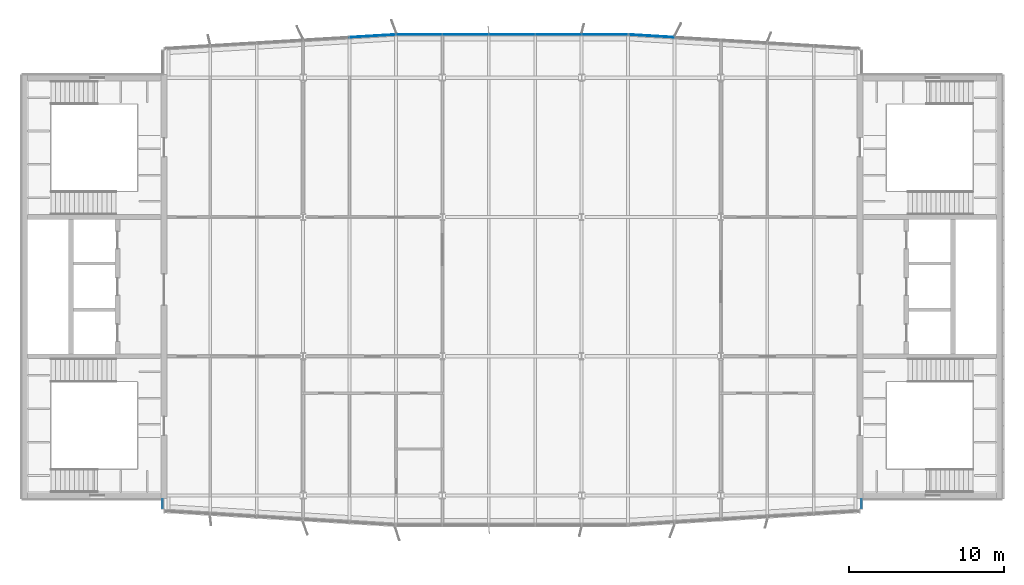
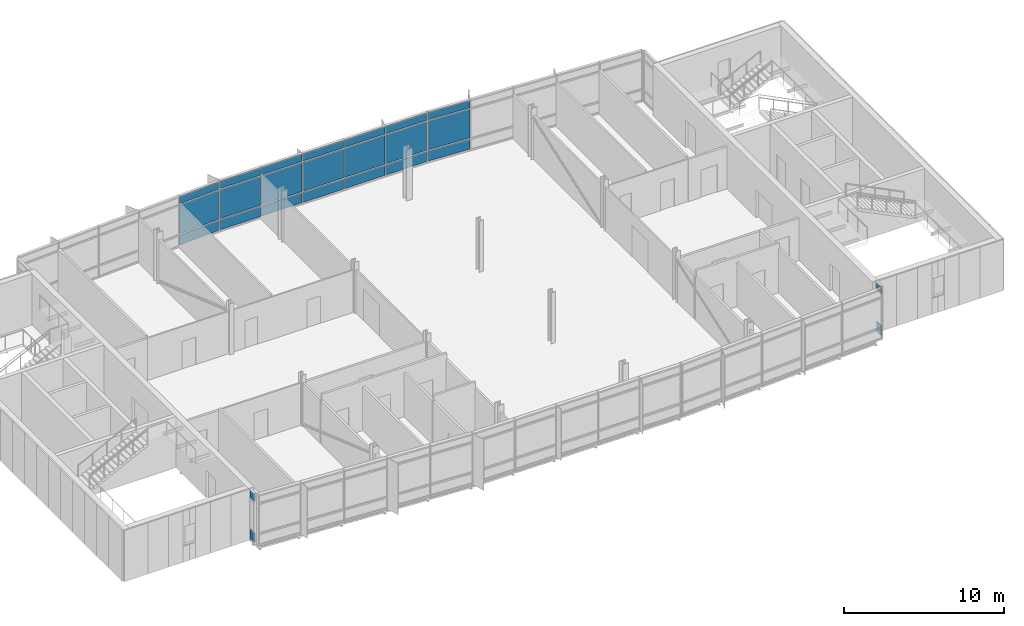
# One storey, part 13 of 20: 25 plates, 5 elements without a shape of their own.
"""IFC4 building model written with IfcOpenShell, lengths in metres."""

import ifcopenshell
import ifcopenshell.guid

model = None  # the IFC model being written
_history = None  # IfcOwnerHistory: only IFC2X3 demands one
_inside = {}  # id of a spatial element -> (the spatial element, [elements in it])
_under = {}  # id of a project, library or spatial element -> (it, [spatial elements below it])
_declared = {}  # id of a project -> (the project, [libraries it declares])
_typed = {}  # id of a type object -> (the type object, [elements of that type])
_made_of = {}  # id of a material, layer set ... -> (it, [elements and type objects made of it])


def new_model(schema):
    """Start an empty IFC model of exactly this schema.

    Asked for "IFC4X3", IfcOpenShell would pick the latest addendum, in which some entities
    have other attributes; the version numbers below select the first issue.
    IFC2X3 requires an IfcOwnerHistory on every rooted entity: one is made here for all.
    """
    global model, _history
    if schema == "IFC4X3":
        model = ifcopenshell.file(schema_version=(4, 3, 0, 0))
    else:
        model = ifcopenshell.file(schema=schema)
    _inside.clear()
    _under.clear()
    _declared.clear()
    _typed.clear()
    _made_of.clear()
    _history = None
    if model.schema == "IFC2X3":
        org = make("IfcOrganization", Name="unknown")
        user = make(
            "IfcPersonAndOrganization",
            ThePerson=make("IfcPerson", FamilyName="unknown"),
            TheOrganization=org,
        )
        app = make(
            "IfcApplication",
            ApplicationDeveloper=org,
            Version="unknown",
            ApplicationFullName="unknown",
            ApplicationIdentifier="unknown",
        )
        _history = make(
            "IfcOwnerHistory",
            OwningUser=user,
            OwningApplication=app,
            ChangeAction="ADDED",
            CreationDate=0,
        )
    return model


def make(cls, **values):
    """One entity of the class cls with the attributes given. An attribute that is None is left unset."""
    return model.create_entity(
        cls, **{name: value for name, value in values.items() if value is not None}
    )


def rooted(cls, **values):
    """An entity with a GlobalId (a new one), such as an element, a storey or a relation."""
    return make(cls, GlobalId=ifcopenshell.guid.new(), OwnerHistory=_history, **values)


def si_unit(unit_type, name, prefix=None):
    """IfcSIUnit, for example si_unit("LENGTHUNIT", "METRE", prefix="MILLI")."""
    return make("IfcSIUnit", UnitType=unit_type, Prefix=prefix, Name=name)


def assignment(units):
    """IfcUnitAssignment: the units of a project."""
    return None if units is None else make("IfcUnitAssignment", Units=units)


def point(xyz):
    """IfcCartesianPoint."""
    return None if xyz is None else make("IfcCartesianPoint", Coordinates=xyz)


def direction(xyz):
    """IfcDirection."""
    return None if xyz is None else make("IfcDirection", DirectionRatios=xyz)


def frame(location, z_axis=None, x_axis=None):
    """IfcAxis2Placement3D, a coordinate frame: its origin and axes. An axis left out is left unset."""
    return make(
        "IfcAxis2Placement3D",
        Location=point(location),
        Axis=direction(z_axis),
        RefDirection=direction(x_axis),
    )


def frame_2d(location, x_axis=None):
    """IfcAxis2Placement2D, a coordinate frame in the plane: its origin and x axis."""
    return make(
        "IfcAxis2Placement2D", Location=point(location), RefDirection=direction(x_axis)
    )


def origin():
    """The frame at (0, 0, 0) with its axes left unset."""
    return frame((0.0, 0.0, 0.0))


def origin_2d():
    """The frame at (0, 0) in the plane with its x axis left unset."""
    return frame_2d((0.0, 0.0))


def place(relative_to, where):
    """IfcLocalPlacement: puts the frame where relative to a parent placement (None: the world)."""
    return make(
        "IfcLocalPlacement", PlacementRelTo=relative_to, RelativePlacement=where
    )


def context(
    kind, dimensions, precision=None, world=None, true_north=None, identifier=None
):
    """IfcGeometricRepresentationContext, for example the 3D "Model" context."""
    return make(
        "IfcGeometricRepresentationContext",
        ContextIdentifier=identifier,
        ContextType=kind,
        CoordinateSpaceDimension=dimensions,
        Precision=precision,
        WorldCoordinateSystem=world,
        TrueNorth=true_north,
    )


def subcontext(parent, identifier, kind, view, scale=None):
    """IfcGeometricRepresentationSubContext, for example "Body" below "Model"."""
    return make(
        "IfcGeometricRepresentationSubContext",
        ContextIdentifier=identifier,
        ContextType=kind,
        ParentContext=parent,
        TargetScale=scale,
        TargetView=view,
    )


def project(units=None, contexts=None):
    """IfcProject with its units and contexts."""
    return rooted(
        "IfcProject",
        Name="project",
        RepresentationContexts=contexts,
        UnitsInContext=assignment(units),
    )


def spatial(cls, under=None, at=None, **own):
    """A site, building, storey or space (cls), placed at a placement, below another one or the project."""
    s = rooted(cls, ObjectPlacement=at, **own)
    if under is not None:
        _under.setdefault(under.id(), (under, []))[1].append(s)
    return s


def profile(cls, at=None, kind="AREA", **sizes):
    """A parametric profile (cls). Its sizes go by their IFC names, for example OverallWidth=200.0."""
    return make(cls, ProfileType=kind, Position=at, **sizes)


def rectangle(**sizes):
    """IfcRectangleProfileDef."""
    return profile("IfcRectangleProfileDef", **sizes)


def extrude(swept, where, along, depth):
    """IfcExtrudedAreaSolid: the profile swept, set in the frame where, extruded along a direction by depth."""
    return make(
        "IfcExtrudedAreaSolid",
        SweptArea=swept,
        Position=where,
        ExtrudedDirection=direction(along),
        Depth=depth,
    )


def shape(context_of_items, identifier, shape_type, items):
    """IfcShapeRepresentation: the items that make up one representation, for example the "Body"."""
    return make(
        "IfcShapeRepresentation",
        ContextOfItems=context_of_items,
        RepresentationIdentifier=identifier,
        RepresentationType=shape_type,
        Items=items,
    )


def material(Name=None, Category=None):
    """IfcMaterial."""
    return make("IfcMaterial", Name=Name, Category=Category)


def layer(
    of_material, thickness, ventilated=None, Name=None, Category=None, Priority=None
):
    """IfcMaterialLayer: one layer of a wall or slab, of a material (None: an air gap)."""
    return make(
        "IfcMaterialLayer",
        Material=of_material,
        LayerThickness=thickness,
        IsVentilated=ventilated,
        Name=Name,
        Category=Category,
        Priority=Priority,
    )


def layer_set(layers, Name=None):
    """IfcMaterialLayerSet."""
    return make("IfcMaterialLayerSet", MaterialLayers=layers, LayerSetName=Name)


def made_of(thing, what):
    """Note that an element or type object is made of a material, layer set ...; save() writes the relation."""
    if what is not None:
        _made_of.setdefault(what.id(), (what, []))[1].append(thing)
    return thing


def type_object(cls, material=None, **own):
    """A type object (cls), such as IfcWallType, which elements share."""
    return made_of(rooted(cls, **own), material)


def element(
    cls,
    number,
    at=None,
    inside=None,
    cuts=None,
    type_object=None,
    material=None,
    context=None,
    identifier="Body",
    shape_type=None,
    held_by="IfcProductDefinitionShape",
    body=None,
    shapes=None,
    **own,
):
    """One element of the class cls, such as IfcWall. Its Tag is "e" and its number.

    at: its placement. inside: the storey or other place that contains it. cuts: it is an
    opening in that element (IfcRelVoidsElement). A single representation is given by context,
    identifier, shape_type and body (its items); several are given by shapes. held_by: the class
    of the entity that holds the representations. save() writes the other relations.
    """
    e = rooted(cls, Tag="e%d" % number, ObjectPlacement=at, **own)
    if body is not None:
        shapes = [shape(context, identifier, shape_type, body)]
    if shapes is not None:
        e.Representation = make(held_by, Representations=shapes)
    if inside is not None:
        _inside.setdefault(inside.id(), (inside, []))[1].append(e)
    if cuts is not None:
        rooted(
            "IfcRelVoidsElement", RelatingBuildingElement=cuts, RelatedOpeningElement=e
        )
    if type_object is not None:
        _typed.setdefault(type_object.id(), (type_object, []))[1].append(e)
    return made_of(e, material)


def aggregate(whole, parts):
    """IfcRelAggregates: a whole, such as a stair, and the parts it consists of."""
    return rooted("IfcRelAggregates", RelatingObject=whole, RelatedObjects=parts)


def save(model, path):
    """Write the relations noted so far, then the file.

    IfcRelAggregates (storeys below a building ...), IfcRelContainedInSpatialStructure (elements
    in a storey), IfcRelDefinesByType, IfcRelAssociatesMaterial and IfcRelDeclares: one each for
    every whole, place, type object, material and project.
    """
    for whole, parts in _under.values():
        aggregate(whole, parts)
    for where, things in _inside.values():
        rooted(
            "IfcRelContainedInSpatialStructure",
            RelatedElements=things,
            RelatingStructure=where,
        )
    for kind, things in _typed.values():
        rooted("IfcRelDefinesByType", RelatedObjects=things, RelatingType=kind)
    for what, things in _made_of.values():
        rooted("IfcRelAssociatesMaterial", RelatedObjects=things, RelatingMaterial=what)
    for by, libraries in _declared.values():
        rooted("IfcRelDeclares", RelatingContext=by, RelatedDefinitions=libraries)
    model.write(path)


model = new_model("IFC4")

# Units and contexts
model_context = context("Model", 3, precision=1e-05, world=origin(), true_north=direction((0.0, 1.0)))
body_context = subcontext(model_context, "Body", "Model", "MODEL_VIEW")
ifc_project = project(units=[si_unit("LENGTHUNIT", "METRE"), si_unit("AREAUNIT", "SQUARE_METRE"), si_unit("VOLUMEUNIT", "CUBIC_METRE"), si_unit("PLANEANGLEUNIT", "RADIAN"), si_unit("MASSUNIT", "GRAM", prefix="KILO")], contexts=[model_context])

# Site, building, storey
site_placement = place(None, origin())
site = spatial("IfcSite", under=ifc_project, at=site_placement, CompositionType="ELEMENT")
building_placement = place(site_placement, origin())
building = spatial("IfcBuilding", under=site, at=building_placement, Name="Azimuth Sports and Learning Centre", CompositionType="ELEMENT")
storey_placement = place(building_placement, frame((0.0, 0.0, 44.10009765625)))
storey = spatial("IfcBuildingStorey", under=building, at=storey_placement, Name="L09", CompositionType="ELEMENT", Elevation=44.10009765625)

# Curtain wall, plates
ifc_material_1 = material(Name="Aluminium and glass", Category="aluminium")
curtain_wall_type_1 = type_object("IfcCurtainWallType", Name="Curtain wall tower return 180", PredefinedType="NOTDEFINED", material=ifc_material_1)
curtain_wall_1_placement = place(storey_placement, origin())
curtain_wall_1 = element("IfcCurtainWall", 1, at=curtain_wall_1_placement, inside=storey, type_object=curtain_wall_type_1, Name="Curtain wall CW09-001", PredefinedType="NOTDEFINED")
ifc_material_2 = material(Name="Insulated aluminium panel", Category="aluminium")
ifc_layer_1 = layer(ifc_material_2, 0.050048828125)
ifc_layer_set_1 = layer_set([ifc_layer_1], Name="Insulated aluminium panel")
plate_type_1 = type_object("IfcPlateType", Name="Spandrel panel 50 mm", PredefinedType="CURTAIN_PANEL", material=ifc_layer_set_1)
plate_1_placement = place(storey_placement, frame((62.909912109375, 89.449951171875, 0.099853515625), z_axis=(0.0, 0.0, 1.0), x_axis=(0.0, -1.0, 0.0)))
plate_1 = element("IfcPlate", 2, at=plate_1_placement, type_object=plate_type_1, Name="CW09-001 panel 1.1", PredefinedType="CURTAIN_PANEL", context=body_context, shape_type="SweptSolid", body=[
    extrude(rectangle(XDim=0.580078125, YDim=0.050048828125, at=origin_2d()), origin(), (0.0, 0.0, 1.0), 0.75),
])
plate_2_placement = place(storey_placement, frame((62.909912109375, 89.449951171875, 3.25), z_axis=(0.0, 0.0, 1.0), x_axis=(0.0, -1.0, 0.0)))
plate_2 = element("IfcPlate", 3, at=plate_2_placement, type_object=plate_type_1, Name="CW09-001 panel 1.3", PredefinedType="CURTAIN_PANEL", context=body_context, shape_type="SweptSolid", body=[
    extrude(rectangle(XDim=0.580078125, YDim=0.050048828125, at=origin_2d()), origin(), (0.0, 0.0, 1.0), 0.550048828125),
])
aggregate(curtain_wall_1, [plate_1, plate_2])

curtain_wall_2_placement = place(storey_placement, origin())
curtain_wall_2 = element("IfcCurtainWall", 4, at=curtain_wall_2_placement, inside=storey, type_object=curtain_wall_type_1, Name="Curtain wall CW09-005", PredefinedType="NOTDEFINED")
plate_3_placement = place(storey_placement, frame((108.090087890625, 89.449951171875, 0.099853515625), z_axis=(0.0, 0.0, 1.0), x_axis=(0.0, 1.0, 0.0)))
plate_3 = element("IfcPlate", 5, at=plate_3_placement, type_object=plate_type_1, Name="CW09-005 panel 1.1", PredefinedType="CURTAIN_PANEL", context=body_context, shape_type="SweptSolid", body=[
    extrude(rectangle(XDim=0.580078125, YDim=0.050048828125, at=origin_2d()), origin(), (0.0, 0.0, 1.0), 0.75),
])
plate_4_placement = place(storey_placement, frame((108.090087890625, 89.449951171875, 3.25), z_axis=(0.0, 0.0, 1.0), x_axis=(0.0, 1.0, 0.0)))
plate_4 = element("IfcPlate", 6, at=plate_4_placement, type_object=plate_type_1, Name="CW09-005 panel 1.3", PredefinedType="CURTAIN_PANEL", context=body_context, shape_type="SweptSolid", body=[
    extrude(rectangle(XDim=0.580078125, YDim=0.050048828125, at=origin_2d()), origin(), (0.0, 0.0, 1.0), 0.550048828125),
])
aggregate(curtain_wall_2, [plate_3, plate_4])

ifc_material_3 = material(Name="Aluminium and glass", Category="aluminium")
curtain_wall_type_2 = type_object("IfcCurtainWallType", Name="Curtain wall tower north 180", PredefinedType="NOTDEFINED", material=ifc_material_3)
curtain_wall_3_placement = place(storey_placement, origin())
curtain_wall_3 = element("IfcCurtainWall", 7, at=curtain_wall_3_placement, inside=storey, type_object=curtain_wall_type_2, Name="Curtain wall CW09-007", PredefinedType="NOTDEFINED")
plate_5_placement = place(storey_placement, frame((94.520263671875, 119.698974609375, 0.099853515625), z_axis=(0.0, 0.0, 1.0), x_axis=(-0.998204863401, 0.059891991812, 0.0)))
plate_5 = element("IfcPlate", 8, at=plate_5_placement, type_object=plate_type_1, Name="CW09-007 panel 5.1", PredefinedType="CURTAIN_PANEL", context=body_context, shape_type="SweptSolid", body=[
    extrude(rectangle(XDim=2.915283203125, YDim=0.050048828125, at=origin_2d()), origin(), (0.0, 0.0, 1.0), 0.75),
])
plate_6_placement = place(storey_placement, frame((94.520263671875, 119.698974609375, 3.25), z_axis=(0.0, 0.0, 1.0), x_axis=(-0.998204863401, 0.059891991812, 0.0)))
plate_6 = element("IfcPlate", 9, at=plate_6_placement, type_object=plate_type_1, Name="CW09-007 panel 5.3", PredefinedType="CURTAIN_PANEL", context=body_context, shape_type="SweptSolid", body=[
    extrude(rectangle(XDim=2.915283203125, YDim=0.050048828125, at=origin_2d()), origin(), (0.0, 0.0, 1.0), 0.550048828125),
])

curtain_wall_4_placement = place(storey_placement, origin())
curtain_wall_4 = element("IfcCurtainWall", 10, at=curtain_wall_4_placement, inside=storey, type_object=curtain_wall_type_2, Name="Curtain wall CW09-008", PredefinedType="NOTDEFINED")
plate_7_placement = place(storey_placement, frame((91.48779296875, 119.7900390625, 0.099853515625), z_axis=(0.0, 0.0, 1.0), x_axis=(-1.0, 0.0, 0.0)))
plate_7 = element("IfcPlate", 11, at=plate_7_placement, type_object=plate_type_1, Name="CW09-008 panel 1.1", PredefinedType="CURTAIN_PANEL", context=body_context, shape_type="SweptSolid", body=[
    extrude(rectangle(XDim=2.915283203125, YDim=0.050048828125, at=origin_2d()), origin(), (0.0, 0.0, 1.0), 0.75),
])
plate_8_placement = place(storey_placement, frame((91.48779296875, 119.7900390625, 3.25), z_axis=(0.0, 0.0, 1.0), x_axis=(-1.0, 0.0, 0.0)))
plate_8 = element("IfcPlate", 12, at=plate_8_placement, type_object=plate_type_1, Name="CW09-008 panel 1.3", PredefinedType="CURTAIN_PANEL", context=body_context, shape_type="SweptSolid", body=[
    extrude(rectangle(XDim=2.915283203125, YDim=0.050048828125, at=origin_2d()), origin(), (0.0, 0.0, 1.0), 0.550048828125),
])
plate_9_placement = place(storey_placement, frame((88.5, 119.7900390625, 0.099853515625), z_axis=(0.0, 0.0, 1.0), x_axis=(-1.0, 0.0, 0.0)))
plate_9 = element("IfcPlate", 13, at=plate_9_placement, type_object=plate_type_1, Name="CW09-008 panel 2.1", PredefinedType="CURTAIN_PANEL", context=body_context, shape_type="SweptSolid", body=[
    extrude(rectangle(XDim=2.93994140625, YDim=0.050048828125, at=origin_2d()), origin(), (0.0, 0.0, 1.0), 0.75),
])
plate_10_placement = place(storey_placement, frame((88.5, 119.7900390625, 3.25), z_axis=(0.0, 0.0, 1.0), x_axis=(-1.0, 0.0, 0.0)))
plate_10 = element("IfcPlate", 14, at=plate_10_placement, type_object=plate_type_1, Name="CW09-008 panel 2.3", PredefinedType="CURTAIN_PANEL", context=body_context, shape_type="SweptSolid", body=[
    extrude(rectangle(XDim=2.93994140625, YDim=0.050048828125, at=origin_2d()), origin(), (0.0, 0.0, 1.0), 0.550048828125),
])
plate_11_placement = place(storey_placement, frame((85.5, 119.7900390625, 0.099853515625), z_axis=(0.0, 0.0, 1.0), x_axis=(-1.0, 0.0, 0.0)))
plate_11 = element("IfcPlate", 15, at=plate_11_placement, type_object=plate_type_1, Name="CW09-008 panel 3.1", PredefinedType="CURTAIN_PANEL", context=body_context, shape_type="SweptSolid", body=[
    extrude(rectangle(XDim=2.93994140625, YDim=0.050048828125, at=origin_2d()), origin(), (0.0, 0.0, 1.0), 0.75),
])
plate_12_placement = place(storey_placement, frame((85.5, 119.7900390625, 3.25), z_axis=(0.0, 0.0, 1.0), x_axis=(-1.0, 0.0, 0.0)))
plate_12 = element("IfcPlate", 16, at=plate_12_placement, type_object=plate_type_1, Name="CW09-008 panel 3.3", PredefinedType="CURTAIN_PANEL", context=body_context, shape_type="SweptSolid", body=[
    extrude(rectangle(XDim=2.93994140625, YDim=0.050048828125, at=origin_2d()), origin(), (0.0, 0.0, 1.0), 0.550048828125),
])
plate_13_placement = place(storey_placement, frame((82.5, 119.7900390625, 0.099853515625), z_axis=(0.0, 0.0, 1.0), x_axis=(-1.0, 0.0, 0.0)))
plate_13 = element("IfcPlate", 17, at=plate_13_placement, type_object=plate_type_1, Name="CW09-008 panel 4.1", PredefinedType="CURTAIN_PANEL", context=body_context, shape_type="SweptSolid", body=[
    extrude(rectangle(XDim=2.93994140625, YDim=0.050048828125, at=origin_2d()), origin(), (0.0, 0.0, 1.0), 0.75),
])
plate_14_placement = place(storey_placement, frame((82.5, 119.7900390625, 3.25), z_axis=(0.0, 0.0, 1.0), x_axis=(-1.0, 0.0, 0.0)))
plate_14 = element("IfcPlate", 18, at=plate_14_placement, type_object=plate_type_1, Name="CW09-008 panel 4.3", PredefinedType="CURTAIN_PANEL", context=body_context, shape_type="SweptSolid", body=[
    extrude(rectangle(XDim=2.93994140625, YDim=0.050048828125, at=origin_2d()), origin(), (0.0, 0.0, 1.0), 0.550048828125),
])
plate_15_placement = place(storey_placement, frame((79.514892578125, 119.7900390625, 0.099853515625), z_axis=(0.0, 0.0, 1.0), x_axis=(-1.0, 0.0, 0.0)))
plate_15 = element("IfcPlate", 19, at=plate_15_placement, type_object=plate_type_1, Name="CW09-008 panel 5.1", PredefinedType="CURTAIN_PANEL", context=body_context, shape_type="SweptSolid", body=[
    extrude(rectangle(XDim=2.909912109375, YDim=0.050048828125, at=origin_2d()), origin(), (0.0, 0.0, 1.0), 0.75),
])
plate_16_placement = place(storey_placement, frame((79.514892578125, 119.7900390625, 3.25), z_axis=(0.0, 0.0, 1.0), x_axis=(-1.0, 0.0, 0.0)))
plate_16 = element("IfcPlate", 20, at=plate_16_placement, type_object=plate_type_1, Name="CW09-008 panel 5.3", PredefinedType="CURTAIN_PANEL", context=body_context, shape_type="SweptSolid", body=[
    extrude(rectangle(XDim=2.909912109375, YDim=0.050048828125, at=origin_2d()), origin(), (0.0, 0.0, 1.0), 0.550048828125),
])

curtain_wall_5_placement = place(storey_placement, origin())
curtain_wall_5 = element("IfcCurtainWall", 21, at=curtain_wall_5_placement, inside=storey, type_object=curtain_wall_type_2, Name="Curtain wall CW09-009", PredefinedType="NOTDEFINED")
plate_17_placement = place(storey_placement, frame((76.482421875, 119.69921875, 0.099853515625), z_axis=(0.0, 0.0, 1.0), x_axis=(-0.998204863401, -0.059891991812, 0.0)))
plate_17 = element("IfcPlate", 22, at=plate_17_placement, type_object=plate_type_1, Name="CW09-009 panel 1.1", PredefinedType="CURTAIN_PANEL", context=body_context, shape_type="SweptSolid", body=[
    extrude(rectangle(XDim=2.9208984375, YDim=0.050048828125, at=origin_2d()), origin(), (0.0, 0.0, 1.0), 0.75),
])
plate_18_placement = place(storey_placement, frame((76.482421875, 119.69921875, 3.25), z_axis=(0.0, 0.0, 1.0), x_axis=(-0.998204863401, -0.059891991812, 0.0)))
plate_18 = element("IfcPlate", 23, at=plate_18_placement, type_object=plate_type_1, Name="CW09-009 panel 1.3", PredefinedType="CURTAIN_PANEL", context=body_context, shape_type="SweptSolid", body=[
    extrude(rectangle(XDim=2.9208984375, YDim=0.050048828125, at=origin_2d()), origin(), (0.0, 0.0, 1.0), 0.550048828125),
])

# Plate
ifc_material_4 = material(Name="Glass", Category="glass")
ifc_layer_2 = layer(ifc_material_4, 0.031982421875)
ifc_layer_set_2 = layer_set([ifc_layer_2], Name="Glass")
plate_type_2 = type_object("IfcPlateType", Name="Vision glass 32 mm", PredefinedType="CURTAIN_PANEL", material=ifc_layer_set_2)
plate_19_placement = place(storey_placement, frame((94.520263671875, 119.698974609375, 0.94970703125), z_axis=(0.0, 0.0, 1.0), x_axis=(-0.998204863401, 0.059891991812, 0.0)))
plate_19 = element("IfcPlate", 24, at=plate_19_placement, type_object=plate_type_2, Name="CW09-007 panel 5.2", PredefinedType="CURTAIN_PANEL", context=body_context, shape_type="SweptSolid", body=[
    extrude(rectangle(XDim=2.915283203125, YDim=0.031982421875, at=origin_2d()), origin(), (0.0, 0.0, 1.0), 2.199951171875),
])

aggregate(curtain_wall_3, [plate_5, plate_19, plate_6])

plate_20_placement = place(storey_placement, frame((91.48779296875, 119.7900390625, 0.94970703125), z_axis=(0.0, 0.0, 1.0), x_axis=(-1.0, 0.0, 0.0)))
plate_20 = element("IfcPlate", 25, at=plate_20_placement, type_object=plate_type_2, Name="CW09-008 panel 1.2", PredefinedType="CURTAIN_PANEL", context=body_context, shape_type="SweptSolid", body=[
    extrude(rectangle(XDim=2.915283203125, YDim=0.031982421875, at=origin_2d()), origin(), (0.0, 0.0, 1.0), 2.199951171875),
])

plate_21_placement = place(storey_placement, frame((88.5, 119.7900390625, 0.94970703125), z_axis=(0.0, 0.0, 1.0), x_axis=(-1.0, 0.0, 0.0)))
plate_21 = element("IfcPlate", 26, at=plate_21_placement, type_object=plate_type_2, Name="CW09-008 panel 2.2", PredefinedType="CURTAIN_PANEL", context=body_context, shape_type="SweptSolid", body=[
    extrude(rectangle(XDim=2.93994140625, YDim=0.031982421875, at=origin_2d()), origin(), (0.0, 0.0, 1.0), 2.199951171875),
])

plate_22_placement = place(storey_placement, frame((85.5, 119.7900390625, 0.94970703125), z_axis=(0.0, 0.0, 1.0), x_axis=(-1.0, 0.0, 0.0)))
plate_22 = element("IfcPlate", 27, at=plate_22_placement, type_object=plate_type_2, Name="CW09-008 panel 3.2", PredefinedType="CURTAIN_PANEL", context=body_context, shape_type="SweptSolid", body=[
    extrude(rectangle(XDim=2.93994140625, YDim=0.031982421875, at=origin_2d()), origin(), (0.0, 0.0, 1.0), 2.199951171875),
])

plate_23_placement = place(storey_placement, frame((82.5, 119.7900390625, 0.94970703125), z_axis=(0.0, 0.0, 1.0), x_axis=(-1.0, 0.0, 0.0)))
plate_23 = element("IfcPlate", 28, at=plate_23_placement, type_object=plate_type_2, Name="CW09-008 panel 4.2", PredefinedType="CURTAIN_PANEL", context=body_context, shape_type="SweptSolid", body=[
    extrude(rectangle(XDim=2.93994140625, YDim=0.031982421875, at=origin_2d()), origin(), (0.0, 0.0, 1.0), 2.199951171875),
])

plate_24_placement = place(storey_placement, frame((79.514892578125, 119.7900390625, 0.94970703125), z_axis=(0.0, 0.0, 1.0), x_axis=(-1.0, 0.0, 0.0)))
plate_24 = element("IfcPlate", 29, at=plate_24_placement, type_object=plate_type_2, Name="CW09-008 panel 5.2", PredefinedType="CURTAIN_PANEL", context=body_context, shape_type="SweptSolid", body=[
    extrude(rectangle(XDim=2.909912109375, YDim=0.031982421875, at=origin_2d()), origin(), (0.0, 0.0, 1.0), 2.199951171875),
])

aggregate(curtain_wall_4, [plate_7, plate_20, plate_8, plate_9, plate_21, plate_10, plate_11, plate_22, plate_12, plate_13, plate_23, plate_14, plate_15, plate_24, plate_16])

plate_25_placement = place(storey_placement, frame((76.482421875, 119.69921875, 0.94970703125), z_axis=(0.0, 0.0, 1.0), x_axis=(-0.998204863401, -0.059891991812, 0.0)))
plate_25 = element("IfcPlate", 30, at=plate_25_placement, type_object=plate_type_2, Name="CW09-009 panel 1.2", PredefinedType="CURTAIN_PANEL", context=body_context, shape_type="SweptSolid", body=[
    extrude(rectangle(XDim=2.9208984375, YDim=0.031982421875, at=origin_2d()), origin(), (0.0, 0.0, 1.0), 2.199951171875),
])

aggregate(curtain_wall_5, [plate_17, plate_25, plate_18])

save(model, "model.ifc")
